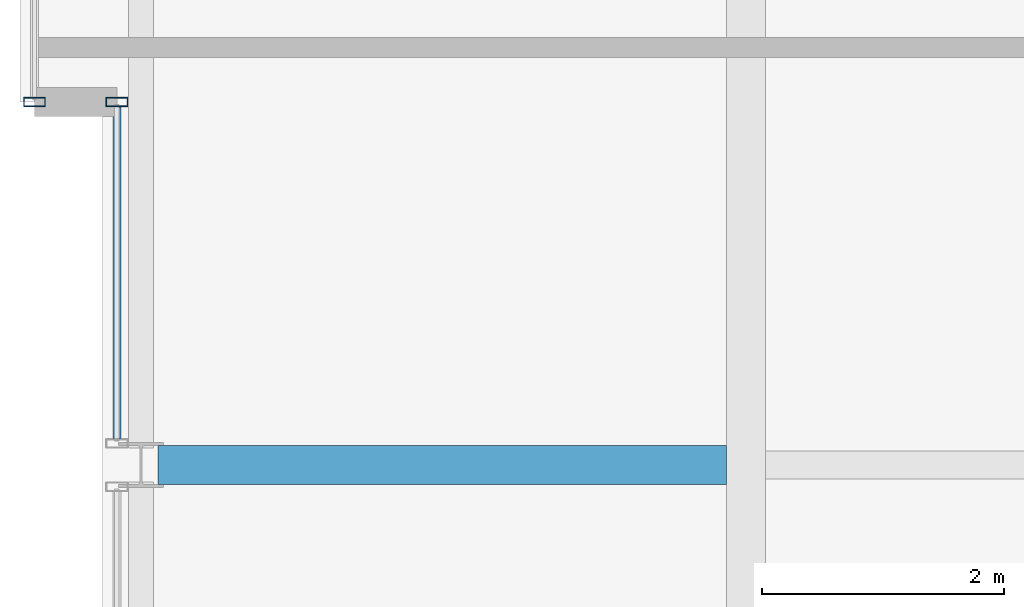
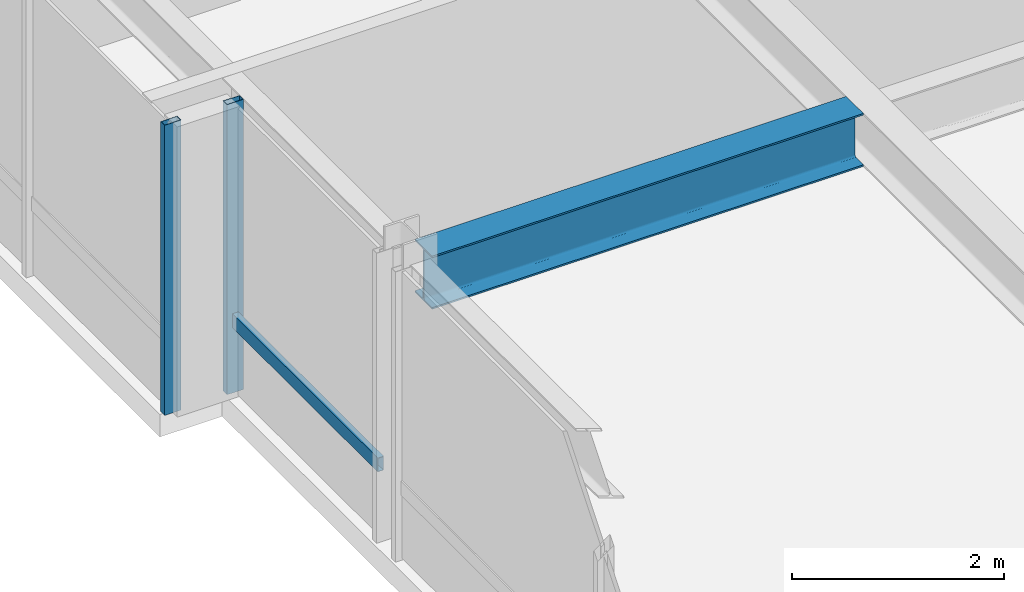
# One storey, part 11 of 31: 3 members, 1 beam, 2 elements without a shape of their own.
"""IFC4 building model written with IfcOpenShell, lengths in metres."""

from ifc_helpers import new_model, si_unit, direction, frame, origin, origin_2d, place, context, subcontext, project, spatial, hollow_rectangle, i_section, extrude, material, layer, layer_set, material_profile, profile_set, type_object, element, aggregate, save


model = new_model("IFC4")

# Units and contexts
model_context = context("Model", 3, precision=1e-05, world=origin(), true_north=direction((0.0, 1.0)))
body_context = subcontext(model_context, "Body", "Model", "MODEL_VIEW")
ifc_project = project(units=[si_unit("LENGTHUNIT", "METRE"), si_unit("AREAUNIT", "SQUARE_METRE"), si_unit("VOLUMEUNIT", "CUBIC_METRE"), si_unit("PLANEANGLEUNIT", "RADIAN"), si_unit("MASSUNIT", "GRAM", prefix="KILO")], contexts=[model_context])

# Site, building, storey
site_placement = place(None, origin())
site = spatial("IfcSite", under=ifc_project, at=site_placement, CompositionType="ELEMENT")
building_placement = place(site_placement, origin())
building = spatial("IfcBuilding", under=site, at=building_placement, Name="Drelvath Grand Hotel", CompositionType="ELEMENT")
storey_placement = place(building_placement, frame((0.0, 0.0, 244.699951171875)))
storey = spatial("IfcBuildingStorey", under=building, at=storey_placement, Name="L64", CompositionType="ELEMENT", Elevation=244.699951171875)

# Curtain wall, members
ifc_material_1 = material(Name="Platinum-Mist Anodised Aluminium Frame", Category="aluminium")
ifc_layer = layer(ifc_material_1, 0.199951171875)
ifc_layer_set = layer_set([ifc_layer], Name="Platinum-Mist Anodised Aluminium Frame")
curtain_wall_type = type_object("IfcCurtainWallType", Name="Stick Curtain Wall CW-05 Platinum Mist High-Rise", PredefinedType="NOTDEFINED", material=ifc_layer_set)
curtain_wall_1_placement = place(storey_placement, origin())
curtain_wall_1 = element("IfcCurtainWall", 1, at=curtain_wall_1_placement, inside=storey, type_object=curtain_wall_type, Name="L64 CW-05 Curtain Wall CW05-L64-WM2", PredefinedType="NOTDEFINED")
ifc_material_profile_1 = material_profile(ifc_material_1, hollow_rectangle(XDim=0.06494140625, YDim=0.159912109375, WallThickness=0.00390625, at=origin_2d()), Name="HSS160X65X4")
ifc_profile_set_1 = profile_set([ifc_material_profile_1], Name="Platinum-Mist Anodised Aluminium Frame")
member_type_1 = type_object("IfcMemberType", Name="Curtain Wall Horizontal Transom CW-05 HSS160X65X4", PredefinedType="USERDEFINED", material=ifc_profile_set_1)
member_1_placement = place(storey_placement, frame((-21.39990234375, 27.21826171875, 0.8349609375), z_axis=(0.0, 1.0, 0.0), x_axis=(-1.0, 0.0, 0.0)))
member_1 = element("IfcMember", 2, at=member_1_placement, type_object=member_type_1, Name="CW05-L64-WM2 Sill Transom", ObjectType="TRANSOM", PredefinedType="USERDEFINED", context=body_context, shape_type="SweptSolid", body=[
    extrude(hollow_rectangle(XDim=0.06494140625, YDim=0.159912109375, WallThickness=0.00390625, at=origin_2d()), origin(), (0.0, 0.0, 1.0), 2.74169921875),
])
ifc_material_profile_2 = material_profile(ifc_material_1, hollow_rectangle(XDim=0.074951171875, YDim=0.179931640625, WallThickness=0.0048828125, at=origin_2d()), Name="HSS180X75X5")
ifc_profile_set_2 = profile_set([ifc_material_profile_2], Name="Platinum-Mist Anodised Aluminium Frame")
member_type_2 = type_object("IfcMemberType", Name="Curtain Wall Vertical Mullion CW-05 HSS180X75X5", PredefinedType="MULLION", material=ifc_profile_set_2)
member_2_placement = place(storey_placement, frame((-21.39990234375, 30.0, 0.0), z_axis=(0.0, 0.0, 1.0), x_axis=(0.0, 1.0, 0.0)))
member_2 = element("IfcMember", 3, at=member_2_placement, type_object=member_type_2, Name="CW05-L64-WM2 Mullion 2", PredefinedType="MULLION", context=body_context, shape_type="SweptSolid", body=[
    extrude(hollow_rectangle(XDim=0.074951171875, YDim=0.179931640625, WallThickness=0.0048828125, at=origin_2d()), origin(), (0.0, 0.0, 1.0), 3.340087890625),
])
aggregate(curtain_wall_1, [member_2, member_1])

# Curtain wall, member
curtain_wall_2_placement = place(storey_placement, origin())
curtain_wall_2 = element("IfcCurtainWall", 4, at=curtain_wall_2_placement, inside=storey, type_object=curtain_wall_type, Name="L64 CW-05 Curtain Wall CW05-L64-WN1", PredefinedType="NOTDEFINED")
member_3_placement = place(storey_placement, frame((-22.080078125, 30.0, 0.0), z_axis=(0.0, 0.0, 1.0), x_axis=(0.0, 1.0, 0.0)))
member_3 = element("IfcMember", 5, at=member_3_placement, type_object=member_type_2, Name="CW05-L64-WN1 Mullion 1", PredefinedType="MULLION", context=body_context, shape_type="SweptSolid", body=[
    extrude(hollow_rectangle(XDim=0.074951171875, YDim=0.179931640625, WallThickness=0.0048828125, at=origin_2d()), origin(), (0.0, 0.0, 1.0), 3.340087890625),
])
aggregate(curtain_wall_2, [member_3])

# Beam
ifc_material_2 = material(Name="Steel ASTM A992 Gr 50", Category="steel")
ifc_material_profile_3 = material_profile(ifc_material_2, i_section(OverallWidth=0.323974609375, OverallDepth=0.611083984375, WebThickness=0.0126953125, FlangeThickness=0.01904296875, FilletRadius=0.02197265625, at=origin_2d()), Name="W24X104")
ifc_profile_set_3 = profile_set([ifc_material_profile_3], Name="Steel ASTM A992 Gr 50")
beam_type = type_object("IfcBeamType", Name="Primary Floor Girder W24X104", PredefinedType="BEAM", material=ifc_profile_set_3)
beam_placement = place(storey_placement, frame((-21.06005859375, 27.0, 3.034423828125), z_axis=(1.0, 0.0, 0.0), x_axis=(0.0, 1.0, 0.0)))
element("IfcBeam", 6, at=beam_placement, inside=storey, type_object=beam_type, Name="L64 West Wing Girder E", PredefinedType="BEAM", context=body_context, shape_type="SweptSolid", body=[
    extrude(i_section(OverallWidth=0.323974609375, OverallDepth=0.611083984375, WebThickness=0.0126953125, FlangeThickness=0.01904296875, FilletRadius=0.02197265625, at=origin_2d()), origin(), (0.0, 0.0, 1.0), 4.697998046875),
])

save(model, "model.ifc")
